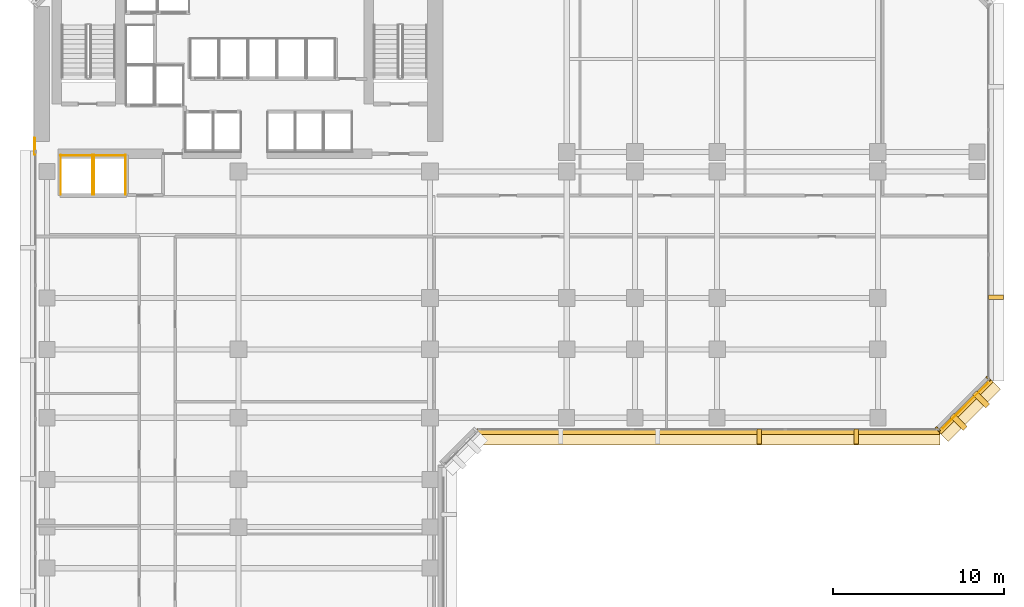
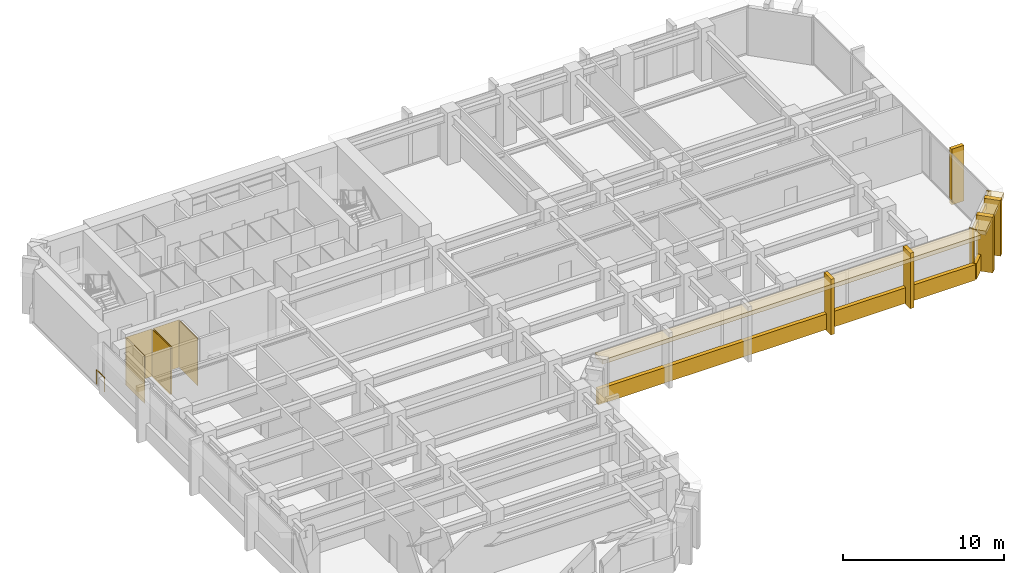
# One storey, part 10 of 13: 18 coverings, 1 railing.
"""IFC4 building model written with IfcOpenShell, lengths in metres."""

from ifc_helpers import new_model, si_unit, direction, frame, origin, origin_2d, place, context, subcontext, project, spatial, polyline, rectangle, circle, outline, extrude, material, layer, layer_set, type_object, element, save


model = new_model("IFC4")

# Units and contexts
model_context = context("Model", 3, precision=1e-05, world=origin(), true_north=direction((0.0, 1.0)))
body_context = subcontext(model_context, "Body", "Model", "MODEL_VIEW")
ifc_project = project(units=[si_unit("LENGTHUNIT", "METRE"), si_unit("AREAUNIT", "SQUARE_METRE"), si_unit("VOLUMEUNIT", "CUBIC_METRE"), si_unit("PLANEANGLEUNIT", "RADIAN"), si_unit("MASSUNIT", "GRAM", prefix="KILO")], contexts=[model_context])

# Site, building, storey
site_placement = place(None, origin())
site = spatial("IfcSite", under=ifc_project, at=site_placement, CompositionType="ELEMENT")
building_placement = place(site_placement, origin())
building = spatial("IfcBuilding", under=site, at=building_placement, Name="Kefirva Bronze Tower", CompositionType="ELEMENT")
storey_placement = place(building_placement, frame((0.0, 0.0, 89.760009765625)))
storey = spatial("IfcBuildingStorey", under=building, at=storey_placement, Name="L21", CompositionType="ELEMENT", Elevation=89.760009765625)

# Coverings
ifc_material_1 = material(Name="Bronze anodised aluminium", Category="aluminium")
ifc_layer_1 = layer(ifc_material_1, 0.02001953125, Name="Bronze anodised aluminium")
ifc_layer_set_1 = layer_set([ifc_layer_1], Name="Bronze anodised aluminium")
covering_type_1 = type_object("IfcCoveringType", Name="Anodised Bronze Spandrel Cladding 20mm", PredefinedType="CLADDING", material=ifc_layer_set_1)
covering_1_placement = place(storey_placement, frame((39.5, 17.9599609375, -0.16015625), z_axis=(0.0, 0.0, 1.0), x_axis=(1.0, 0.0, 0.0)))
element("IfcCovering", 1, at=covering_1_placement, inside=storey, type_object=covering_type_1, Name="L21 Streamline Horizontal Spandrel Band 8", PredefinedType="CLADDING", context=body_context, shape_type="SweptSolid", body=[
    extrude(rectangle(XDim=27.0400390625, YDim=0.280029296875, at=origin_2d()), origin(), (0.0, 0.0, 1.0), 1.179931640625),
])
covering_2_placement = place(storey_placement, frame((54.507080078125, 19.492919921875, 3.18994140625), z_axis=(0.0, 0.0, 1.0), x_axis=(0.707106781187, 0.707106781187, 0.0)))
element("IfcCovering", 2, at=covering_2_placement, inside=storey, type_object=covering_type_1, Name="L21 Bronze Spandrel Cladding 7", PredefinedType="CLADDING", context=body_context, shape_type="SweptSolid", body=[
    extrude(rectangle(XDim=3.719482421875, YDim=0.02001953125, at=origin_2d()), origin(), (0.0, 0.0, 1.0), 0.39990234375),
])
for number, where, z_axis, x_axis, name in (
    (3, (52.91162109375, 18.137939453125, 0.0), (0.0, 0.0, 1.0), (0.707106781187, 0.707106781187, 0.0), "L21 Facade Joint Closure Panel 7S"),
    (4, (55.862060546875, 21.08837890625, 0.0), (0.0, 0.0, 1.0), (0.707106781187, 0.707106781187, 0.0), "L21 Facade Joint Closure Panel 7E"),
):
    element("IfcCovering", number, at=place(storey_placement, frame(where, z_axis=z_axis, x_axis=x_axis)), inside=storey, type_object=covering_type_1, Name=name, PredefinedType="CLADDING", context=body_context, shape_type="SweptSolid", body=[
        extrude(rectangle(XDim=0.10009765625, YDim=0.320068359375, at=origin_2d()), origin(), (0.0, 0.0, 1.0), 3.610107421875),
    ])
covering_3_placement = place(storey_placement, frame((54.5283203125, 19.4716796875, -0.16015625), z_axis=(0.0, 0.0, 1.0), x_axis=(0.707106781187, 0.707106781187, 0.0)))
element("IfcCovering", 5, at=covering_3_placement, inside=storey, type_object=covering_type_1, Name="L21 Streamline Horizontal Spandrel Band 9", PredefinedType="CLADDING", context=body_context, shape_type="SweptSolid", body=[
    extrude(rectangle(XDim=4.28271484375, YDim=0.280029296875, at=origin_2d()), origin(), (0.0, 0.0, 1.0), 1.179931640625),
])
covering_4_placement = place(storey_placement, origin())
element("IfcCovering", 6, at=covering_4_placement, inside=storey, type_object=covering_type_1, Name="L21 Lift OB1 Hoistway Liner N", PredefinedType="CLADDING", context=body_context, shape_type="SweptSolid", body=[
    extrude(outline(polyline([(1.580078125, 34.139892578125), (3.469970703125, 34.139892578125), (3.469970703125, 34.159912109375), (1.580078125, 34.159912109375), (1.580078125, 34.139892578125)])), origin(), (0.0, 0.0, 1.0), 3.610107421875),
])
covering_5_placement = place(storey_placement, origin())
element("IfcCovering", 7, at=covering_5_placement, inside=storey, type_object=covering_type_1, Name="L21 Lift OB1 Hoistway Liner W", PredefinedType="CLADDING", context=body_context, shape_type="SweptSolid", body=[
    extrude(outline(polyline([(1.590087890625, 31.830078125), (1.610107421875, 31.830078125), (1.610107421875, 34.169921875), (1.590087890625, 34.169921875), (1.590087890625, 31.830078125)])), origin(), (0.0, 0.0, 1.0), 3.610107421875),
])
covering_6_placement = place(storey_placement, origin())
element("IfcCovering", 8, at=covering_6_placement, inside=storey, type_object=covering_type_1, Name="L21 Lift OB1 Hoistway Liner E", PredefinedType="CLADDING", context=body_context, shape_type="SweptSolid", body=[
    extrude(outline(polyline([(3.43994140625, 31.830078125), (3.4599609375, 31.830078125), (3.4599609375, 34.169921875), (3.43994140625, 34.169921875), (3.43994140625, 31.830078125)])), origin(), (0.0, 0.0, 1.0), 3.610107421875),
])
covering_7_placement = place(storey_placement, origin())
element("IfcCovering", 9, at=covering_7_placement, inside=storey, type_object=covering_type_1, Name="L21 Lift OB2 Hoistway Liner N", PredefinedType="CLADDING", context=body_context, shape_type="SweptSolid", body=[
    extrude(outline(polyline([(3.530029296875, 34.139892578125), (5.419921875, 34.139892578125), (5.419921875, 34.159912109375), (3.530029296875, 34.159912109375), (3.530029296875, 34.139892578125)])), origin(), (0.0, 0.0, 1.0), 3.610107421875),
])
covering_8_placement = place(storey_placement, origin())
element("IfcCovering", 10, at=covering_8_placement, inside=storey, type_object=covering_type_1, Name="L21 Lift OB2 Hoistway Liner W", PredefinedType="CLADDING", context=body_context, shape_type="SweptSolid", body=[
    extrude(outline(polyline([(3.5400390625, 31.830078125), (3.56005859375, 31.830078125), (3.56005859375, 34.169921875), (3.5400390625, 34.169921875), (3.5400390625, 31.830078125)])), origin(), (0.0, 0.0, 1.0), 3.610107421875),
])
covering_9_placement = place(storey_placement, origin())
element("IfcCovering", 11, at=covering_9_placement, inside=storey, type_object=covering_type_1, Name="L21 Lift OB2 Hoistway Liner E", PredefinedType="CLADDING", context=body_context, shape_type="SweptSolid", body=[
    extrude(outline(polyline([(5.389892578125, 31.830078125), (5.409912109375, 31.830078125), (5.409912109375, 34.169921875), (5.389892578125, 34.169921875), (5.389892578125, 31.830078125)])), origin(), (0.0, 0.0, 1.0), 3.610107421875),
])

# Railing
ifc_material_2 = material(Name="Stainless steel 316", Category="steel")
railing_type = type_object("IfcRailingType", Name="Interior Stair Guardrail 1100mm", PredefinedType="GUARDRAIL", material=ifc_material_2)
railing_placement = place(storey_placement, frame((0.080078125, 34.199951171875, 0.0)))
element("IfcRailing", 12, at=railing_placement, inside=storey, type_object=railing_type, Name="L21 West Core Junction Guardrail", PredefinedType="GUARDRAIL", context=body_context, shape_type="SweptSolid", body=[
    extrude(circle(Radius=0.02392578125, at=origin_2d()), frame((0.0, 0.0, 1.076171875), z_axis=(0.0, 1.0, 0.0), x_axis=(-1.0, 0.0, 0.0)), (0.0, 0.0, 1.0), 0.949951171875),
    extrude(circle(Radius=0.02099609375, at=origin_2d()), origin(), (0.0, 0.0, 1.0), 1.052001953125),
    extrude(circle(Radius=0.02099609375, at=origin_2d()), frame((0.0, 0.949951171875, 0.0)), (0.0, 0.0, 1.0), 1.052001953125),
])

# Coverings
ifc_layer_2 = layer(ifc_material_1, 0.179931640625, Name="Bronze anodised aluminium")
ifc_layer_set_2 = layer_set([ifc_layer_2], Name="Bronze anodised aluminium")
covering_type_2 = type_object("IfcCoveringType", Name="Streamline Bronze Sunshade Eyebrow Cladding 180mm", PredefinedType="CLADDING", material=ifc_layer_set_2)
covering_10_placement = place(storey_placement, frame((39.5, 17.68994140625, 3.2900390625), z_axis=(0.0, 0.0, 1.0), x_axis=(1.0, 0.0, 0.0)))
element("IfcCovering", 13, at=covering_10_placement, inside=storey, type_object=covering_type_2, Name="L21 Streamline Bronze Sunshade Eyebrow 8", PredefinedType="CLADDING", context=body_context, shape_type="SweptSolid", body=[
    extrude(rectangle(XDim=27.080078125, YDim=0.93994140625, at=origin_2d()), origin(), (0.0, 0.0, 1.0), 0.320068359375),
])
covering_11_placement = place(storey_placement, frame((54.71923828125, 19.28076171875, 3.2900390625), z_axis=(0.0, 0.0, 1.0), x_axis=(0.707106781187, 0.707106781187, 0.0)))
element("IfcCovering", 14, at=covering_11_placement, inside=storey, type_object=covering_type_2, Name="L21 Streamline Bronze Sunshade Eyebrow 9", PredefinedType="CLADDING", context=body_context, shape_type="SweptSolid", body=[
    extrude(rectangle(XDim=4.322509765625, YDim=0.93994140625, at=origin_2d()), origin(), (0.0, 0.0, 1.0), 0.320068359375),
])
ifc_layer_3 = layer(ifc_material_1, 0.260009765625, Name="Bronze anodised aluminium")
ifc_layer_set_3 = layer_set([ifc_layer_3], Name="Bronze anodised aluminium")
covering_type_3 = type_object("IfcCoveringType", Name="Unbroken Bronze Buttress Fin Cladding 260mm", PredefinedType="CLADDING", material=ifc_layer_set_3)
for number, where, z_axis, x_axis, name in (
    (15, (42.469970703125, 17.699951171875, -0.25), (0.0, 0.0, 1.0), (1.0, 0.0, 0.0), "L21 Unbroken Vertical Bronze Rib Fin 11"),
    (16, (48.139892578125, 17.699951171875, -0.25), (0.0, 0.0, 1.0), (1.0, 0.0, 0.0), "L21 Unbroken Vertical Bronze Rib Fin 12"),
):
    element("IfcCovering", number, at=place(storey_placement, frame(where, z_axis=z_axis, x_axis=x_axis)), inside=storey, type_object=covering_type_3, Name=name, PredefinedType="CLADDING", context=body_context, shape_type="SweptSolid", body=[
        extrude(rectangle(XDim=0.260009765625, YDim=0.8798828125, at=origin_2d()), origin(), (0.0, 0.0, 1.0), 4.2099609375),
    ])
for number, where, z_axis, x_axis, name in (
    (17, (54.122802734375, 18.55712890625, -0.25), (0.0, 0.0, 1.0), (0.707106781187, 0.707106781187, 0.0), "L21 Chamfered Corner Buttress Fin Cladding 13"),
    (18, (55.44287109375, 19.877197265625, -0.25), (0.0, 0.0, 1.0), (0.707106781187, 0.707106781187, 0.0), "L21 Chamfered Corner Buttress Fin Cladding 14"),
):
    element("IfcCovering", number, at=place(storey_placement, frame(where, z_axis=z_axis, x_axis=x_axis)), inside=storey, type_object=covering_type_3, Name=name, PredefinedType="CLADDING", context=body_context, shape_type="SweptSolid", body=[
        extrude(rectangle(XDim=0.340087890625, YDim=1.080078125, at=origin_2d()), origin(), (0.0, 0.0, 1.0), 4.2099609375),
    ])
covering_12_placement = place(storey_placement, frame((56.300048828125, 25.840087890625, -0.25), z_axis=(0.0, 0.0, 1.0), x_axis=(0.0, 1.0, 0.0)))
element("IfcCovering", 19, at=covering_12_placement, inside=storey, type_object=covering_type_3, Name="L21 Unbroken Vertical Bronze Rib Fin 15", PredefinedType="CLADDING", context=body_context, shape_type="SweptSolid", body=[
    extrude(rectangle(XDim=0.260009765625, YDim=0.8798828125, at=origin_2d()), origin(), (0.0, 0.0, 1.0), 4.2099609375),
])

save(model, "model.ifc")
